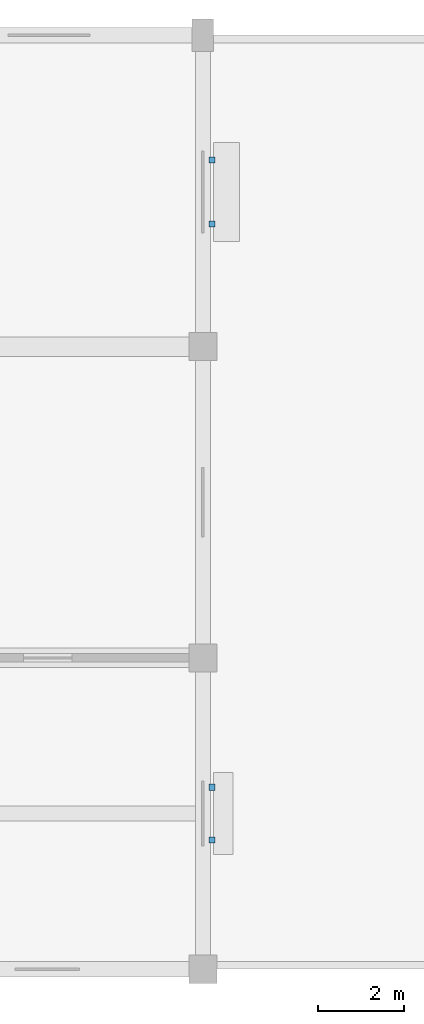
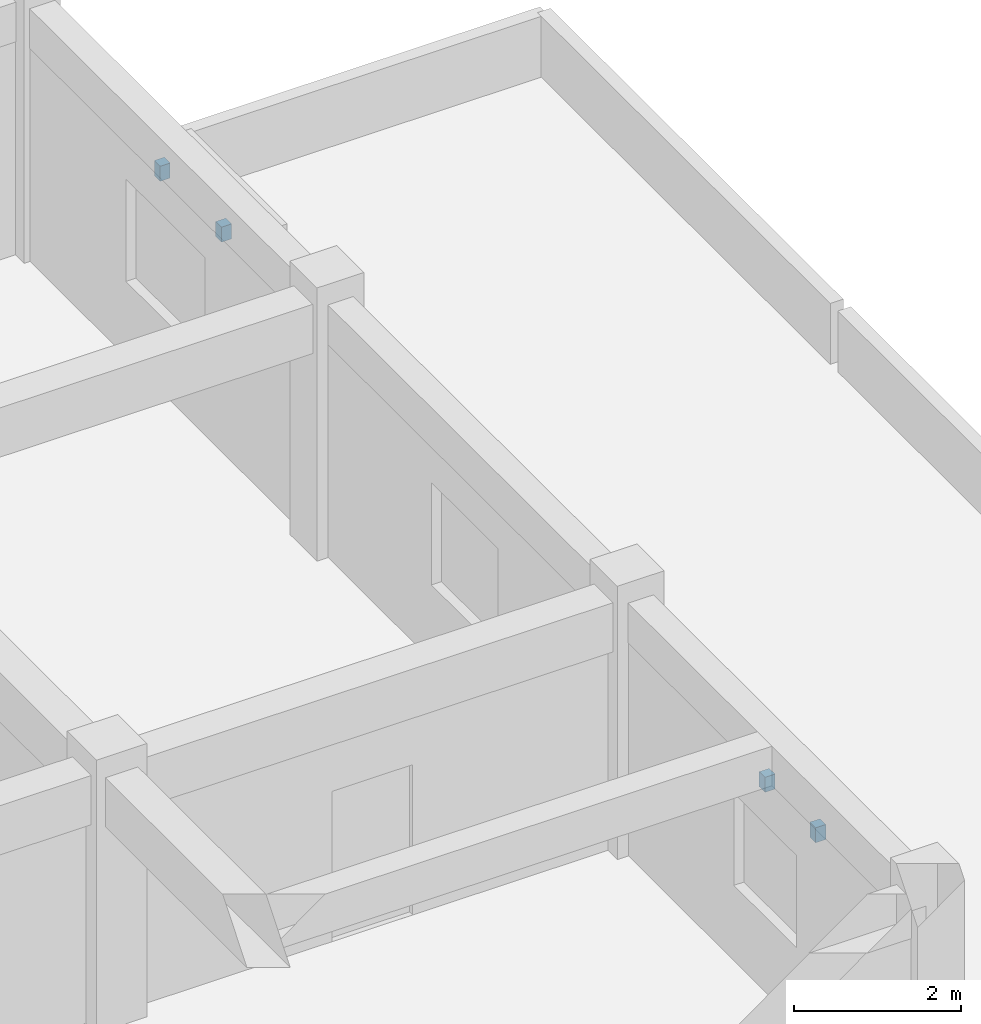
# One storey, part 15 of 16: 4 discrete accessories.
"""IFC4 building model written with IfcOpenShell, lengths in metres."""

import ifcopenshell
import ifcopenshell.guid

model = None  # the IFC model being written
_history = None  # IfcOwnerHistory: only IFC2X3 demands one
_inside = {}  # id of a spatial element -> (the spatial element, [elements in it])
_under = {}  # id of a project, library or spatial element -> (it, [spatial elements below it])
_declared = {}  # id of a project -> (the project, [libraries it declares])
_typed = {}  # id of a type object -> (the type object, [elements of that type])
_made_of = {}  # id of a material, layer set ... -> (it, [elements and type objects made of it])


def new_model(schema):
    """Start an empty IFC model of exactly this schema.

    Asked for "IFC4X3", IfcOpenShell would pick the latest addendum, in which some entities
    have other attributes; the version numbers below select the first issue.
    IFC2X3 requires an IfcOwnerHistory on every rooted entity: one is made here for all.
    """
    global model, _history
    if schema == "IFC4X3":
        model = ifcopenshell.file(schema_version=(4, 3, 0, 0))
    else:
        model = ifcopenshell.file(schema=schema)
    _inside.clear()
    _under.clear()
    _declared.clear()
    _typed.clear()
    _made_of.clear()
    _history = None
    if model.schema == "IFC2X3":
        org = make("IfcOrganization", Name="unknown")
        user = make(
            "IfcPersonAndOrganization",
            ThePerson=make("IfcPerson", FamilyName="unknown"),
            TheOrganization=org,
        )
        app = make(
            "IfcApplication",
            ApplicationDeveloper=org,
            Version="unknown",
            ApplicationFullName="unknown",
            ApplicationIdentifier="unknown",
        )
        _history = make(
            "IfcOwnerHistory",
            OwningUser=user,
            OwningApplication=app,
            ChangeAction="ADDED",
            CreationDate=0,
        )
    return model


def make(cls, **values):
    """One entity of the class cls with the attributes given. An attribute that is None is left unset."""
    return model.create_entity(
        cls, **{name: value for name, value in values.items() if value is not None}
    )


def rooted(cls, **values):
    """An entity with a GlobalId (a new one), such as an element, a storey or a relation."""
    return make(cls, GlobalId=ifcopenshell.guid.new(), OwnerHistory=_history, **values)


def si_unit(unit_type, name, prefix=None):
    """IfcSIUnit, for example si_unit("LENGTHUNIT", "METRE", prefix="MILLI")."""
    return make("IfcSIUnit", UnitType=unit_type, Prefix=prefix, Name=name)


def assignment(units):
    """IfcUnitAssignment: the units of a project."""
    return None if units is None else make("IfcUnitAssignment", Units=units)


def point(xyz):
    """IfcCartesianPoint."""
    return None if xyz is None else make("IfcCartesianPoint", Coordinates=xyz)


def direction(xyz):
    """IfcDirection."""
    return None if xyz is None else make("IfcDirection", DirectionRatios=xyz)


def frame(location, z_axis=None, x_axis=None):
    """IfcAxis2Placement3D, a coordinate frame: its origin and axes. An axis left out is left unset."""
    return make(
        "IfcAxis2Placement3D",
        Location=point(location),
        Axis=direction(z_axis),
        RefDirection=direction(x_axis),
    )


def frame_2d(location, x_axis=None):
    """IfcAxis2Placement2D, a coordinate frame in the plane: its origin and x axis."""
    return make(
        "IfcAxis2Placement2D", Location=point(location), RefDirection=direction(x_axis)
    )


def origin():
    """The frame at (0, 0, 0) with its axes left unset."""
    return frame((0.0, 0.0, 0.0))


def origin_2d():
    """The frame at (0, 0) in the plane with its x axis left unset."""
    return frame_2d((0.0, 0.0))


def place(relative_to, where):
    """IfcLocalPlacement: puts the frame where relative to a parent placement (None: the world)."""
    return make(
        "IfcLocalPlacement", PlacementRelTo=relative_to, RelativePlacement=where
    )


def context(
    kind, dimensions, precision=None, world=None, true_north=None, identifier=None
):
    """IfcGeometricRepresentationContext, for example the 3D "Model" context."""
    return make(
        "IfcGeometricRepresentationContext",
        ContextIdentifier=identifier,
        ContextType=kind,
        CoordinateSpaceDimension=dimensions,
        Precision=precision,
        WorldCoordinateSystem=world,
        TrueNorth=true_north,
    )


def subcontext(parent, identifier, kind, view, scale=None):
    """IfcGeometricRepresentationSubContext, for example "Body" below "Model"."""
    return make(
        "IfcGeometricRepresentationSubContext",
        ContextIdentifier=identifier,
        ContextType=kind,
        ParentContext=parent,
        TargetScale=scale,
        TargetView=view,
    )


def project(units=None, contexts=None):
    """IfcProject with its units and contexts."""
    return rooted(
        "IfcProject",
        Name="project",
        RepresentationContexts=contexts,
        UnitsInContext=assignment(units),
    )


def spatial(cls, under=None, at=None, **own):
    """A site, building, storey or space (cls), placed at a placement, below another one or the project."""
    s = rooted(cls, ObjectPlacement=at, **own)
    if under is not None:
        _under.setdefault(under.id(), (under, []))[1].append(s)
    return s


def profile(cls, at=None, kind="AREA", **sizes):
    """A parametric profile (cls). Its sizes go by their IFC names, for example OverallWidth=200.0."""
    return make(cls, ProfileType=kind, Position=at, **sizes)


def rectangle(**sizes):
    """IfcRectangleProfileDef."""
    return profile("IfcRectangleProfileDef", **sizes)


def extrude(swept, where, along, depth):
    """IfcExtrudedAreaSolid: the profile swept, set in the frame where, extruded along a direction by depth."""
    return make(
        "IfcExtrudedAreaSolid",
        SweptArea=swept,
        Position=where,
        ExtrudedDirection=direction(along),
        Depth=depth,
    )


def shape(context_of_items, identifier, shape_type, items):
    """IfcShapeRepresentation: the items that make up one representation, for example the "Body"."""
    return make(
        "IfcShapeRepresentation",
        ContextOfItems=context_of_items,
        RepresentationIdentifier=identifier,
        RepresentationType=shape_type,
        Items=items,
    )


def material(Name=None, Category=None):
    """IfcMaterial."""
    return make("IfcMaterial", Name=Name, Category=Category)


def made_of(thing, what):
    """Note that an element or type object is made of a material, layer set ...; save() writes the relation."""
    if what is not None:
        _made_of.setdefault(what.id(), (what, []))[1].append(thing)
    return thing


def type_object(cls, material=None, **own):
    """A type object (cls), such as IfcWallType, which elements share."""
    return made_of(rooted(cls, **own), material)


def element(
    cls,
    number,
    at=None,
    inside=None,
    cuts=None,
    type_object=None,
    material=None,
    context=None,
    identifier="Body",
    shape_type=None,
    held_by="IfcProductDefinitionShape",
    body=None,
    shapes=None,
    **own,
):
    """One element of the class cls, such as IfcWall. Its Tag is "e" and its number.

    at: its placement. inside: the storey or other place that contains it. cuts: it is an
    opening in that element (IfcRelVoidsElement). A single representation is given by context,
    identifier, shape_type and body (its items); several are given by shapes. held_by: the class
    of the entity that holds the representations. save() writes the other relations.
    """
    e = rooted(cls, Tag="e%d" % number, ObjectPlacement=at, **own)
    if body is not None:
        shapes = [shape(context, identifier, shape_type, body)]
    if shapes is not None:
        e.Representation = make(held_by, Representations=shapes)
    if inside is not None:
        _inside.setdefault(inside.id(), (inside, []))[1].append(e)
    if cuts is not None:
        rooted(
            "IfcRelVoidsElement", RelatingBuildingElement=cuts, RelatedOpeningElement=e
        )
    if type_object is not None:
        _typed.setdefault(type_object.id(), (type_object, []))[1].append(e)
    return made_of(e, material)


def aggregate(whole, parts):
    """IfcRelAggregates: a whole, such as a stair, and the parts it consists of."""
    return rooted("IfcRelAggregates", RelatingObject=whole, RelatedObjects=parts)


def save(model, path):
    """Write the relations noted so far, then the file.

    IfcRelAggregates (storeys below a building ...), IfcRelContainedInSpatialStructure (elements
    in a storey), IfcRelDefinesByType, IfcRelAssociatesMaterial and IfcRelDeclares: one each for
    every whole, place, type object, material and project.
    """
    for whole, parts in _under.values():
        aggregate(whole, parts)
    for where, things in _inside.values():
        rooted(
            "IfcRelContainedInSpatialStructure",
            RelatedElements=things,
            RelatingStructure=where,
        )
    for kind, things in _typed.values():
        rooted("IfcRelDefinesByType", RelatedObjects=things, RelatingType=kind)
    for what, things in _made_of.values():
        rooted("IfcRelAssociatesMaterial", RelatedObjects=things, RelatingMaterial=what)
    for by, libraries in _declared.values():
        rooted("IfcRelDeclares", RelatingContext=by, RelatedDefinitions=libraries)
    model.write(path)


model = new_model("IFC4")

# Units and contexts
model_context = context("Model", 3, precision=1e-05, world=origin(), true_north=direction((0.0, 1.0)))
body_context = subcontext(model_context, "Body", "Model", "MODEL_VIEW")
ifc_project = project(units=[si_unit("LENGTHUNIT", "METRE"), si_unit("AREAUNIT", "SQUARE_METRE"), si_unit("VOLUMEUNIT", "CUBIC_METRE"), si_unit("PLANEANGLEUNIT", "RADIAN"), si_unit("MASSUNIT", "GRAM", prefix="KILO")], contexts=[model_context])

# Site, building, storey
site_placement = place(None, origin())
site = spatial("IfcSite", under=ifc_project, at=site_placement, CompositionType="ELEMENT")
building_placement = place(site_placement, origin())
building = spatial("IfcBuilding", under=site, at=building_placement, Name="Cendaluz Park School", CompositionType="ELEMENT")
storey_placement = place(building_placement, frame((0.0, 0.0, 22.60009765625)))
storey = spatial("IfcBuildingStorey", under=building, at=storey_placement, Name="L05", CompositionType="ELEMENT", Elevation=22.60009765625)

# Discrete accessories
ifc_material = material(Name="Steel S355", Category="steel")
discrete_accessory_type = type_object("IfcDiscreteAccessoryType", Name="BK-01", PredefinedType="BRACKET", material=ifc_material)
for number, where, z_axis, x_axis, name in (
    (1, (151.409912109375, 10.19189453125, 2.47998046875), (0.0, 0.0, 1.0), (0.0, 1.0, 0.0), "BK-L05-167"),
    (2, (151.409912109375, 11.407958984375, 2.47998046875), (0.0, 0.0, 1.0), (0.0, 1.0, 0.0), "BK-L05-168"),
    (3, (151.409912109375, 24.43896484375, 2.6298828125), (0.0, 0.0, 1.0), (0.0, 1.0, 0.0), "BK-L05-169"),
    (4, (151.409912109375, 25.910888671875, 2.6298828125), (0.0, 0.0, 1.0), (0.0, 1.0, 0.0), "BK-L05-170"),
):
    element("IfcDiscreteAccessory", number, at=place(storey_placement, frame(where, z_axis=z_axis, x_axis=x_axis)), inside=storey, type_object=discrete_accessory_type, Name=name, PredefinedType="BRACKET", context=body_context, shape_type="SweptSolid", body=[
        extrude(rectangle(XDim=0.139892578125, YDim=0.139892578125, at=origin_2d()), origin(), (0.0, 0.0, 1.0), 0.219970703125),
    ])

save(model, "model.ifc")
